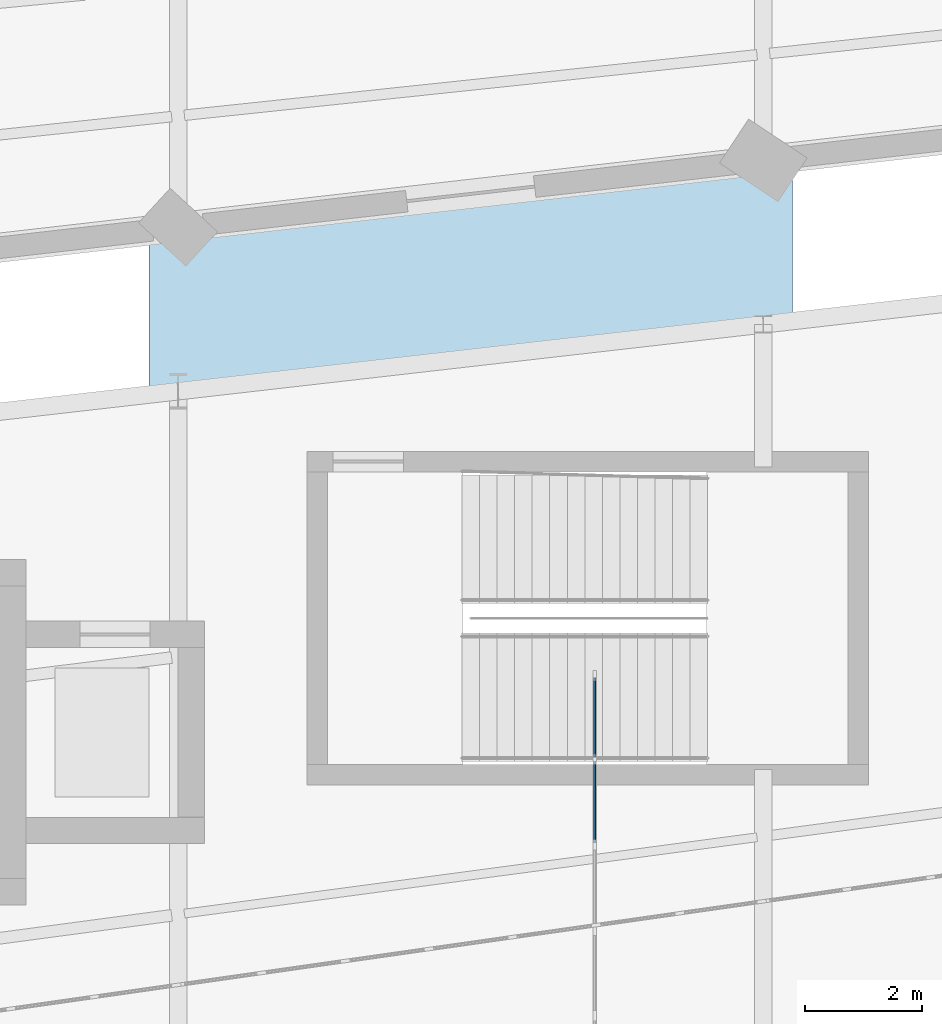
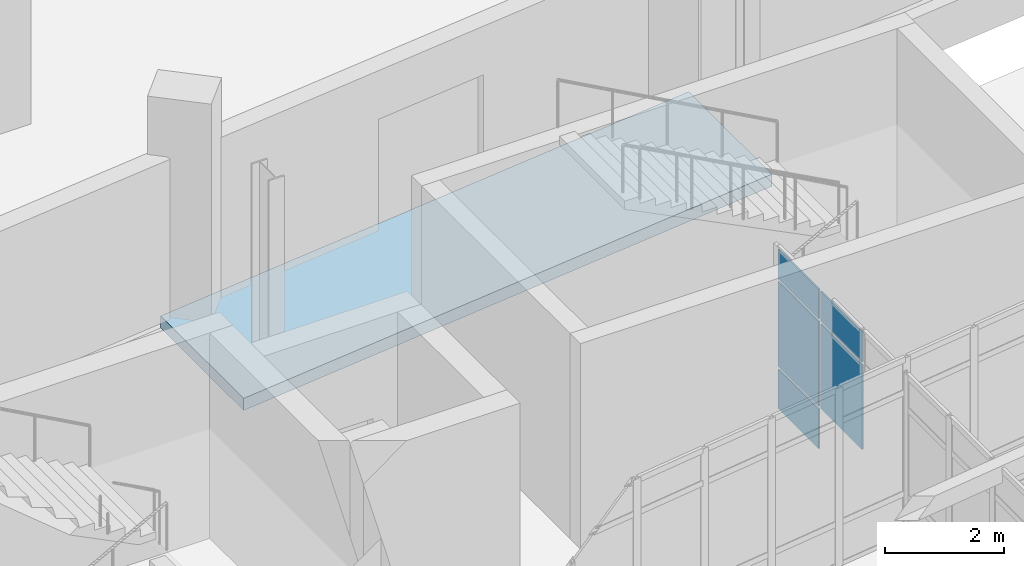
# One storey, part 83 of 122: 5 plates, 1 slab, 1 element without a shape of its own.
"""IFC4 building model written with IfcOpenShell, lengths in metres."""

from ifc_helpers import new_model, si_unit, direction, frame, origin, origin_2d, place, context, subcontext, project, spatial, polyline, rectangle, outline, extrude, material, layer, layer_set, type_object, element, aggregate, save


model = new_model("IFC4")

# Units and contexts
model_context = context("Model", 3, precision=1e-05, world=origin(), true_north=direction((0.0, 1.0)))
body_context = subcontext(model_context, "Body", "Model", "MODEL_VIEW")
ifc_project = project(units=[si_unit("LENGTHUNIT", "METRE"), si_unit("AREAUNIT", "SQUARE_METRE"), si_unit("VOLUMEUNIT", "CUBIC_METRE"), si_unit("PLANEANGLEUNIT", "RADIAN"), si_unit("MASSUNIT", "GRAM", prefix="KILO")], contexts=[model_context])

# Site, building, storey
site_placement = place(None, origin())
site = spatial("IfcSite", under=ifc_project, at=site_placement, CompositionType="ELEMENT")
building_placement = place(site_placement, origin())
building = spatial("IfcBuilding", under=site, at=building_placement, Name="Sohan Crest Arena", CompositionType="ELEMENT")
storey_placement = place(building_placement, origin())
storey = spatial("IfcBuildingStorey", under=building, at=storey_placement, Name="L00", CompositionType="ELEMENT", Elevation=0.0)

# Curtain wall, plates
ifc_material_1 = material(Name="Thermally broken anodised aluminium", Category="aluminium")
ifc_layer_1 = layer(ifc_material_1, 0.18994140625, Name="Thermally broken anodised aluminium")
ifc_layer_set_1 = layer_set([ifc_layer_1], Name="Thermally broken anodised aluminium")
curtain_wall_type = type_object("IfcCurtainWallType", Name="ARC-CW05", PredefinedType="NOTDEFINED", material=ifc_layer_set_1)
curtain_wall_placement = place(storey_placement, origin())
curtain_wall = element("IfcCurtainWall", 1, at=curtain_wall_placement, inside=storey, type_object=curtain_wall_type, Name="Unitised curtain wall CW-253", PredefinedType="NOTDEFINED")
ifc_material_2 = material(Name="Low-E double-glazed insulated glass", Category="glass")
ifc_layer_2 = layer(ifc_material_2, 0.028076171875, Name="Low-E double-glazed insulated glass")
ifc_layer_set_2 = layer_set([ifc_layer_2], Name="Low-E double-glazed insulated glass")
plate_type = type_object("IfcPlateType", Name="ARC-CNP01", PredefinedType="CURTAIN_PANEL", material=ifc_layer_set_2)
plate_1_placement = place(storey_placement, frame((135.1201171875, 40.610107421875, 0.93017578125), z_axis=(0.0, 0.0, 1.0), x_axis=(0.0, 1.0, 0.0)))
plate_1 = element("IfcPlate", 2, at=plate_1_placement, type_object=plate_type, Name="CW-253 panel 9.2", PredefinedType="CURTAIN_PANEL", context=body_context, shape_type="SweptSolid", body=[
    extrude(rectangle(XDim=1.39501953125, YDim=0.028076171875, at=origin_2d()), origin(), (0.0, 0.0, 1.0), 1.739990234375),
])
plate_2_placement = place(storey_placement, frame((135.1201171875, 40.610107421875, 2.72998046875), z_axis=(0.0, 0.0, 1.0), x_axis=(0.0, 1.0, 0.0)))
plate_2 = element("IfcPlate", 3, at=plate_2_placement, type_object=plate_type, Name="CW-253 panel 9.3", PredefinedType="CURTAIN_PANEL", context=body_context, shape_type="SweptSolid", body=[
    extrude(rectangle(XDim=1.39501953125, YDim=0.028076171875, at=origin_2d()), origin(), (0.0, 0.0, 1.0), 0.610107421875),
])
plate_3_placement = place(storey_placement, frame((135.1201171875, 42.0537109375, 0.06005859375), z_axis=(0.0, 0.0, 1.0), x_axis=(0.0, 1.0, 0.0)))
plate_3 = element("IfcPlate", 4, at=plate_3_placement, type_object=plate_type, Name="CW-253 panel 10.1", PredefinedType="CURTAIN_PANEL", context=body_context, shape_type="SweptSolid", body=[
    extrude(rectangle(XDim=1.362548828125, YDim=0.028076171875, at=origin_2d()), origin(), (0.0, 0.0, 1.0), 0.81005859375),
])
plate_4_placement = place(storey_placement, frame((135.1201171875, 42.0537109375, 0.93017578125), z_axis=(0.0, 0.0, 1.0), x_axis=(0.0, 1.0, 0.0)))
plate_4 = element("IfcPlate", 5, at=plate_4_placement, type_object=plate_type, Name="CW-253 panel 10.2", PredefinedType="CURTAIN_PANEL", context=body_context, shape_type="SweptSolid", body=[
    extrude(rectangle(XDim=1.362548828125, YDim=0.028076171875, at=origin_2d()), origin(), (0.0, 0.0, 1.0), 1.739990234375),
])
plate_5_placement = place(storey_placement, frame((135.1201171875, 42.0537109375, 2.72998046875), z_axis=(0.0, 0.0, 1.0), x_axis=(0.0, 1.0, 0.0)))
plate_5 = element("IfcPlate", 6, at=plate_5_placement, type_object=plate_type, Name="CW-253 panel 10.3", PredefinedType="CURTAIN_PANEL", context=body_context, shape_type="SweptSolid", body=[
    extrude(rectangle(XDim=1.362548828125, YDim=0.028076171875, at=origin_2d()), origin(), (0.0, 0.0, 1.0), 0.610107421875),
])
aggregate(curtain_wall, [plate_1, plate_2, plate_3, plate_4, plate_5])

# Slab
ifc_material_3 = material(Name="Concrete C40/50", Category="concrete")
ifc_layer_3 = layer(ifc_material_3, 0.25, Name="Concrete C40/50")
ifc_layer_set_3 = layer_set([ifc_layer_3], Name="Concrete C40/50")
slab_type = type_object("IfcSlabType", Name="SL-FLR3", PredefinedType="FLOOR", material=ifc_layer_set_3)
slab_placement = place(storey_placement, frame((0.0, 0.0, -0.25)))
element("IfcSlab", 7, at=slab_placement, inside=storey, type_object=slab_type, Name="Seismic joint threshold slab L00 SL-TH-L00-15", PredefinedType="FLOOR", context=body_context, shape_type="SweptSolid", body=[
    extrude(outline(polyline([(138.5, 48.827880859375), (127.5, 47.572021484375), (127.5, 50.3720703125), (138.5, 51.6279296875), (138.5, 48.827880859375)])), origin(), (0.0, 0.0, 1.0), 0.25),
])

save(model, "model.ifc")
